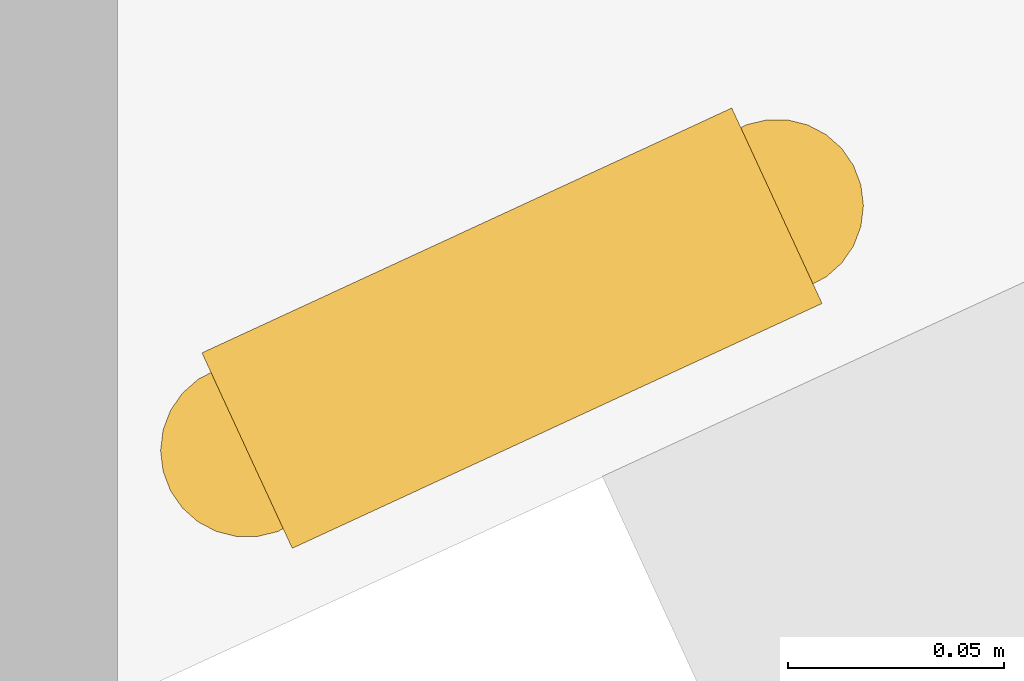
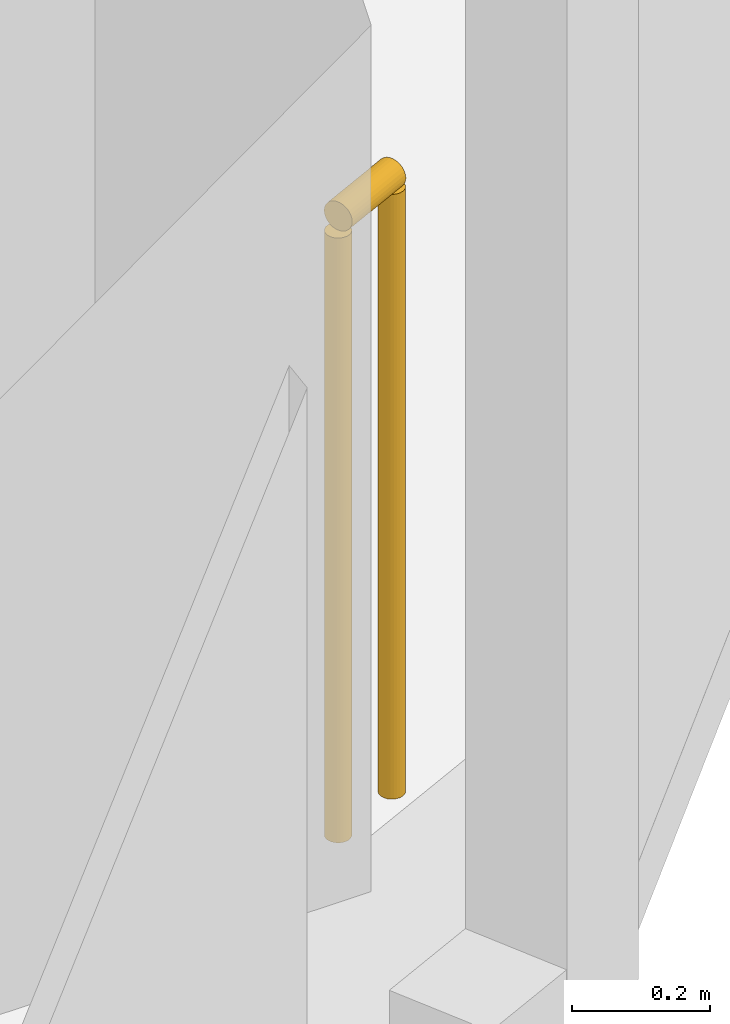
# One storey, part 23 of 23: 1 railing.
"""IFC4 building model written with IfcOpenShell, lengths in metres."""

import ifcopenshell
import ifcopenshell.guid

model = None  # the IFC model being written
_history = None  # IfcOwnerHistory: only IFC2X3 demands one
_inside = {}  # id of a spatial element -> (the spatial element, [elements in it])
_under = {}  # id of a project, library or spatial element -> (it, [spatial elements below it])
_declared = {}  # id of a project -> (the project, [libraries it declares])
_typed = {}  # id of a type object -> (the type object, [elements of that type])
_made_of = {}  # id of a material, layer set ... -> (it, [elements and type objects made of it])


def new_model(schema):
    """Start an empty IFC model of exactly this schema.

    Asked for "IFC4X3", IfcOpenShell would pick the latest addendum, in which some entities
    have other attributes; the version numbers below select the first issue.
    IFC2X3 requires an IfcOwnerHistory on every rooted entity: one is made here for all.
    """
    global model, _history
    if schema == "IFC4X3":
        model = ifcopenshell.file(schema_version=(4, 3, 0, 0))
    else:
        model = ifcopenshell.file(schema=schema)
    _inside.clear()
    _under.clear()
    _declared.clear()
    _typed.clear()
    _made_of.clear()
    _history = None
    if model.schema == "IFC2X3":
        org = make("IfcOrganization", Name="unknown")
        user = make(
            "IfcPersonAndOrganization",
            ThePerson=make("IfcPerson", FamilyName="unknown"),
            TheOrganization=org,
        )
        app = make(
            "IfcApplication",
            ApplicationDeveloper=org,
            Version="unknown",
            ApplicationFullName="unknown",
            ApplicationIdentifier="unknown",
        )
        _history = make(
            "IfcOwnerHistory",
            OwningUser=user,
            OwningApplication=app,
            ChangeAction="ADDED",
            CreationDate=0,
        )
    return model


def make(cls, **values):
    """One entity of the class cls with the attributes given. An attribute that is None is left unset."""
    return model.create_entity(
        cls, **{name: value for name, value in values.items() if value is not None}
    )


def rooted(cls, **values):
    """An entity with a GlobalId (a new one), such as an element, a storey or a relation."""
    return make(cls, GlobalId=ifcopenshell.guid.new(), OwnerHistory=_history, **values)


def si_unit(unit_type, name, prefix=None):
    """IfcSIUnit, for example si_unit("LENGTHUNIT", "METRE", prefix="MILLI")."""
    return make("IfcSIUnit", UnitType=unit_type, Prefix=prefix, Name=name)


def assignment(units):
    """IfcUnitAssignment: the units of a project."""
    return None if units is None else make("IfcUnitAssignment", Units=units)


def point(xyz):
    """IfcCartesianPoint."""
    return None if xyz is None else make("IfcCartesianPoint", Coordinates=xyz)


def direction(xyz):
    """IfcDirection."""
    return None if xyz is None else make("IfcDirection", DirectionRatios=xyz)


def frame(location, z_axis=None, x_axis=None):
    """IfcAxis2Placement3D, a coordinate frame: its origin and axes. An axis left out is left unset."""
    return make(
        "IfcAxis2Placement3D",
        Location=point(location),
        Axis=direction(z_axis),
        RefDirection=direction(x_axis),
    )


def frame_2d(location, x_axis=None):
    """IfcAxis2Placement2D, a coordinate frame in the plane: its origin and x axis."""
    return make(
        "IfcAxis2Placement2D", Location=point(location), RefDirection=direction(x_axis)
    )


def origin():
    """The frame at (0, 0, 0) with its axes left unset."""
    return frame((0.0, 0.0, 0.0))


def origin_2d():
    """The frame at (0, 0) in the plane with its x axis left unset."""
    return frame_2d((0.0, 0.0))


def place(relative_to, where):
    """IfcLocalPlacement: puts the frame where relative to a parent placement (None: the world)."""
    return make(
        "IfcLocalPlacement", PlacementRelTo=relative_to, RelativePlacement=where
    )


def context(
    kind, dimensions, precision=None, world=None, true_north=None, identifier=None
):
    """IfcGeometricRepresentationContext, for example the 3D "Model" context."""
    return make(
        "IfcGeometricRepresentationContext",
        ContextIdentifier=identifier,
        ContextType=kind,
        CoordinateSpaceDimension=dimensions,
        Precision=precision,
        WorldCoordinateSystem=world,
        TrueNorth=true_north,
    )


def subcontext(parent, identifier, kind, view, scale=None):
    """IfcGeometricRepresentationSubContext, for example "Body" below "Model"."""
    return make(
        "IfcGeometricRepresentationSubContext",
        ContextIdentifier=identifier,
        ContextType=kind,
        ParentContext=parent,
        TargetScale=scale,
        TargetView=view,
    )


def project(units=None, contexts=None):
    """IfcProject with its units and contexts."""
    return rooted(
        "IfcProject",
        Name="project",
        RepresentationContexts=contexts,
        UnitsInContext=assignment(units),
    )


def spatial(cls, under=None, at=None, **own):
    """A site, building, storey or space (cls), placed at a placement, below another one or the project."""
    s = rooted(cls, ObjectPlacement=at, **own)
    if under is not None:
        _under.setdefault(under.id(), (under, []))[1].append(s)
    return s


def profile(cls, at=None, kind="AREA", **sizes):
    """A parametric profile (cls). Its sizes go by their IFC names, for example OverallWidth=200.0."""
    return make(cls, ProfileType=kind, Position=at, **sizes)


def circle(**sizes):
    """IfcCircleProfileDef."""
    return profile("IfcCircleProfileDef", **sizes)


def extrude(swept, where, along, depth):
    """IfcExtrudedAreaSolid: the profile swept, set in the frame where, extruded along a direction by depth."""
    return make(
        "IfcExtrudedAreaSolid",
        SweptArea=swept,
        Position=where,
        ExtrudedDirection=direction(along),
        Depth=depth,
    )


def shape(context_of_items, identifier, shape_type, items):
    """IfcShapeRepresentation: the items that make up one representation, for example the "Body"."""
    return make(
        "IfcShapeRepresentation",
        ContextOfItems=context_of_items,
        RepresentationIdentifier=identifier,
        RepresentationType=shape_type,
        Items=items,
    )


def material(Name=None, Category=None):
    """IfcMaterial."""
    return make("IfcMaterial", Name=Name, Category=Category)


def made_of(thing, what):
    """Note that an element or type object is made of a material, layer set ...; save() writes the relation."""
    if what is not None:
        _made_of.setdefault(what.id(), (what, []))[1].append(thing)
    return thing


def type_object(cls, material=None, **own):
    """A type object (cls), such as IfcWallType, which elements share."""
    return made_of(rooted(cls, **own), material)


def element(
    cls,
    number,
    at=None,
    inside=None,
    cuts=None,
    type_object=None,
    material=None,
    context=None,
    identifier="Body",
    shape_type=None,
    held_by="IfcProductDefinitionShape",
    body=None,
    shapes=None,
    **own,
):
    """One element of the class cls, such as IfcWall. Its Tag is "e" and its number.

    at: its placement. inside: the storey or other place that contains it. cuts: it is an
    opening in that element (IfcRelVoidsElement). A single representation is given by context,
    identifier, shape_type and body (its items); several are given by shapes. held_by: the class
    of the entity that holds the representations. save() writes the other relations.
    """
    e = rooted(cls, Tag="e%d" % number, ObjectPlacement=at, **own)
    if body is not None:
        shapes = [shape(context, identifier, shape_type, body)]
    if shapes is not None:
        e.Representation = make(held_by, Representations=shapes)
    if inside is not None:
        _inside.setdefault(inside.id(), (inside, []))[1].append(e)
    if cuts is not None:
        rooted(
            "IfcRelVoidsElement", RelatingBuildingElement=cuts, RelatedOpeningElement=e
        )
    if type_object is not None:
        _typed.setdefault(type_object.id(), (type_object, []))[1].append(e)
    return made_of(e, material)


def aggregate(whole, parts):
    """IfcRelAggregates: a whole, such as a stair, and the parts it consists of."""
    return rooted("IfcRelAggregates", RelatingObject=whole, RelatedObjects=parts)


def save(model, path):
    """Write the relations noted so far, then the file.

    IfcRelAggregates (storeys below a building ...), IfcRelContainedInSpatialStructure (elements
    in a storey), IfcRelDefinesByType, IfcRelAssociatesMaterial and IfcRelDeclares: one each for
    every whole, place, type object, material and project.
    """
    for whole, parts in _under.values():
        aggregate(whole, parts)
    for where, things in _inside.values():
        rooted(
            "IfcRelContainedInSpatialStructure",
            RelatedElements=things,
            RelatingStructure=where,
        )
    for kind, things in _typed.values():
        rooted("IfcRelDefinesByType", RelatedObjects=things, RelatingType=kind)
    for what, things in _made_of.values():
        rooted("IfcRelAssociatesMaterial", RelatedObjects=things, RelatingMaterial=what)
    for by, libraries in _declared.values():
        rooted("IfcRelDeclares", RelatingContext=by, RelatedDefinitions=libraries)
    model.write(path)


model = new_model("IFC4")

# Units and contexts
model_context = context("Model", 3, precision=1e-05, world=origin(), true_north=direction((0.0, 1.0)))
body_context = subcontext(model_context, "Body", "Model", "MODEL_VIEW")
ifc_project = project(units=[si_unit("LENGTHUNIT", "METRE"), si_unit("AREAUNIT", "SQUARE_METRE"), si_unit("VOLUMEUNIT", "CUBIC_METRE"), si_unit("PLANEANGLEUNIT", "RADIAN"), si_unit("MASSUNIT", "GRAM", prefix="KILO")], contexts=[model_context])

# Site, building, storey
site_placement = place(None, origin())
site = spatial("IfcSite", under=ifc_project, at=site_placement, CompositionType="ELEMENT")
building_placement = place(site_placement, origin())
building = spatial("IfcBuilding", under=site, at=building_placement, Name="Orlundy Tower", CompositionType="ELEMENT")
storey_placement = place(building_placement, frame((0.0, 0.0, 221.0)))
storey = spatial("IfcBuildingStorey", under=building, at=storey_placement, Name="L58", CompositionType="ELEMENT", Elevation=221.0)

# Railing
ifc_material = material(Name="Stainless steel bronze finish", Category="steel")
railing_type = type_object("IfcRailingType", Name="TG1 terrace guard", PredefinedType="GUARDRAIL", material=ifc_material)
railing_placement = place(storey_placement, frame((37.007568359375, -10.939453125, 0.0)))
element("IfcRailing", 1, at=railing_placement, inside=storey, type_object=railing_type, Name="Guard TG-L58-E00", PredefinedType="GUARDRAIL", context=body_context, shape_type="SweptSolid", body=[
    extrude(circle(Radius=0.02490234375, at=origin_2d()), frame((0.0, 0.0, 1.09521484375), z_axis=(-0.907747569666, -0.419516805105, 0.0), x_axis=(0.419516805105, -0.907747569666, 0.0)), (0.0, 0.0, 1.0), 0.135009765625),
    extrude(circle(Radius=0.02001953125, at=origin_2d()), origin(), (0.0, 0.0, 1.0), 1.070068359375),
    extrude(circle(Radius=0.02001953125, at=origin_2d()), frame((-0.12255859375, -0.056640625, 0.0)), (0.0, 0.0, 1.0), 1.070068359375),
])

save(model, "model.ifc")
